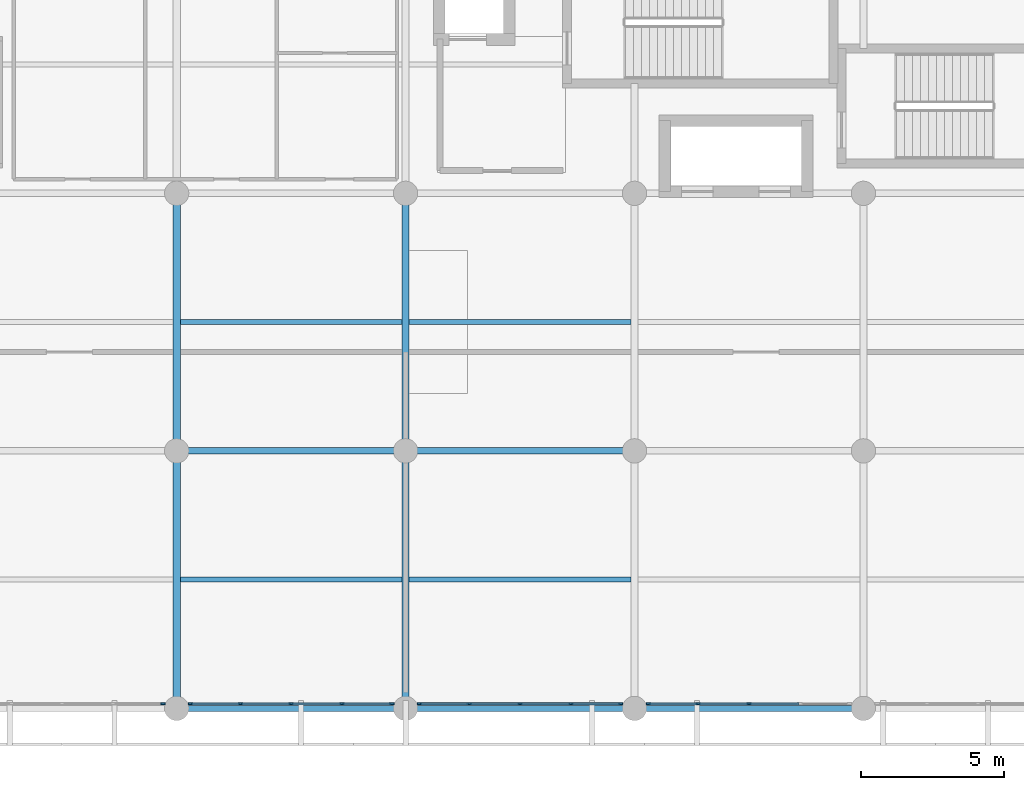
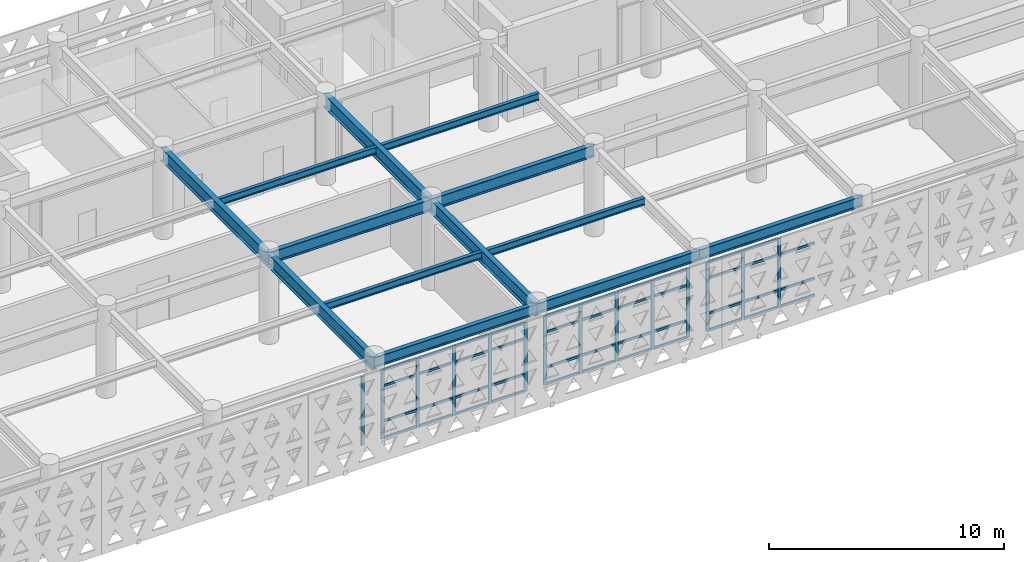
# One storey, part 14 of 54: 57 members, 13 beams, 4 elements without a shape of their own.
"""IFC4 building model written with IfcOpenShell, lengths in metres."""

import ifcopenshell
import ifcopenshell.guid

model = None  # the IFC model being written
_history = None  # IfcOwnerHistory: only IFC2X3 demands one
_inside = {}  # id of a spatial element -> (the spatial element, [elements in it])
_under = {}  # id of a project, library or spatial element -> (it, [spatial elements below it])
_declared = {}  # id of a project -> (the project, [libraries it declares])
_typed = {}  # id of a type object -> (the type object, [elements of that type])
_made_of = {}  # id of a material, layer set ... -> (it, [elements and type objects made of it])


def new_model(schema):
    """Start an empty IFC model of exactly this schema.

    Asked for "IFC4X3", IfcOpenShell would pick the latest addendum, in which some entities
    have other attributes; the version numbers below select the first issue.
    IFC2X3 requires an IfcOwnerHistory on every rooted entity: one is made here for all.
    """
    global model, _history
    if schema == "IFC4X3":
        model = ifcopenshell.file(schema_version=(4, 3, 0, 0))
    else:
        model = ifcopenshell.file(schema=schema)
    _inside.clear()
    _under.clear()
    _declared.clear()
    _typed.clear()
    _made_of.clear()
    _history = None
    if model.schema == "IFC2X3":
        org = make("IfcOrganization", Name="unknown")
        user = make(
            "IfcPersonAndOrganization",
            ThePerson=make("IfcPerson", FamilyName="unknown"),
            TheOrganization=org,
        )
        app = make(
            "IfcApplication",
            ApplicationDeveloper=org,
            Version="unknown",
            ApplicationFullName="unknown",
            ApplicationIdentifier="unknown",
        )
        _history = make(
            "IfcOwnerHistory",
            OwningUser=user,
            OwningApplication=app,
            ChangeAction="ADDED",
            CreationDate=0,
        )
    return model


def make(cls, **values):
    """One entity of the class cls with the attributes given. An attribute that is None is left unset."""
    return model.create_entity(
        cls, **{name: value for name, value in values.items() if value is not None}
    )


def rooted(cls, **values):
    """An entity with a GlobalId (a new one), such as an element, a storey or a relation."""
    return make(cls, GlobalId=ifcopenshell.guid.new(), OwnerHistory=_history, **values)


def si_unit(unit_type, name, prefix=None):
    """IfcSIUnit, for example si_unit("LENGTHUNIT", "METRE", prefix="MILLI")."""
    return make("IfcSIUnit", UnitType=unit_type, Prefix=prefix, Name=name)


def assignment(units):
    """IfcUnitAssignment: the units of a project."""
    return None if units is None else make("IfcUnitAssignment", Units=units)


def point(xyz):
    """IfcCartesianPoint."""
    return None if xyz is None else make("IfcCartesianPoint", Coordinates=xyz)


def direction(xyz):
    """IfcDirection."""
    return None if xyz is None else make("IfcDirection", DirectionRatios=xyz)


def frame(location, z_axis=None, x_axis=None):
    """IfcAxis2Placement3D, a coordinate frame: its origin and axes. An axis left out is left unset."""
    return make(
        "IfcAxis2Placement3D",
        Location=point(location),
        Axis=direction(z_axis),
        RefDirection=direction(x_axis),
    )


def frame_2d(location, x_axis=None):
    """IfcAxis2Placement2D, a coordinate frame in the plane: its origin and x axis."""
    return make(
        "IfcAxis2Placement2D", Location=point(location), RefDirection=direction(x_axis)
    )


def origin():
    """The frame at (0, 0, 0) with its axes left unset."""
    return frame((0.0, 0.0, 0.0))


def origin_2d():
    """The frame at (0, 0) in the plane with its x axis left unset."""
    return frame_2d((0.0, 0.0))


def place(relative_to, where):
    """IfcLocalPlacement: puts the frame where relative to a parent placement (None: the world)."""
    return make(
        "IfcLocalPlacement", PlacementRelTo=relative_to, RelativePlacement=where
    )


def context(
    kind, dimensions, precision=None, world=None, true_north=None, identifier=None
):
    """IfcGeometricRepresentationContext, for example the 3D "Model" context."""
    return make(
        "IfcGeometricRepresentationContext",
        ContextIdentifier=identifier,
        ContextType=kind,
        CoordinateSpaceDimension=dimensions,
        Precision=precision,
        WorldCoordinateSystem=world,
        TrueNorth=true_north,
    )


def subcontext(parent, identifier, kind, view, scale=None):
    """IfcGeometricRepresentationSubContext, for example "Body" below "Model"."""
    return make(
        "IfcGeometricRepresentationSubContext",
        ContextIdentifier=identifier,
        ContextType=kind,
        ParentContext=parent,
        TargetScale=scale,
        TargetView=view,
    )


def project(units=None, contexts=None):
    """IfcProject with its units and contexts."""
    return rooted(
        "IfcProject",
        Name="project",
        RepresentationContexts=contexts,
        UnitsInContext=assignment(units),
    )


def spatial(cls, under=None, at=None, **own):
    """A site, building, storey or space (cls), placed at a placement, below another one or the project."""
    s = rooted(cls, ObjectPlacement=at, **own)
    if under is not None:
        _under.setdefault(under.id(), (under, []))[1].append(s)
    return s


def profile(cls, at=None, kind="AREA", **sizes):
    """A parametric profile (cls). Its sizes go by their IFC names, for example OverallWidth=200.0."""
    return make(cls, ProfileType=kind, Position=at, **sizes)


def rectangle(**sizes):
    """IfcRectangleProfileDef."""
    return profile("IfcRectangleProfileDef", **sizes)


def i_section(**sizes):
    """IfcIShapeProfileDef."""
    return profile("IfcIShapeProfileDef", **sizes)


def extrude(swept, where, along, depth):
    """IfcExtrudedAreaSolid: the profile swept, set in the frame where, extruded along a direction by depth."""
    return make(
        "IfcExtrudedAreaSolid",
        SweptArea=swept,
        Position=where,
        ExtrudedDirection=direction(along),
        Depth=depth,
    )


def shape(context_of_items, identifier, shape_type, items):
    """IfcShapeRepresentation: the items that make up one representation, for example the "Body"."""
    return make(
        "IfcShapeRepresentation",
        ContextOfItems=context_of_items,
        RepresentationIdentifier=identifier,
        RepresentationType=shape_type,
        Items=items,
    )


def material(Name=None, Category=None):
    """IfcMaterial."""
    return make("IfcMaterial", Name=Name, Category=Category)


def layer(
    of_material, thickness, ventilated=None, Name=None, Category=None, Priority=None
):
    """IfcMaterialLayer: one layer of a wall or slab, of a material (None: an air gap)."""
    return make(
        "IfcMaterialLayer",
        Material=of_material,
        LayerThickness=thickness,
        IsVentilated=ventilated,
        Name=Name,
        Category=Category,
        Priority=Priority,
    )


def layer_set(layers, Name=None):
    """IfcMaterialLayerSet."""
    return make("IfcMaterialLayerSet", MaterialLayers=layers, LayerSetName=Name)


def material_profile(
    of_material, cross_section, Name=None, Category=None, Priority=None
):
    """IfcMaterialProfile: a cross section and its material."""
    return make(
        "IfcMaterialProfile",
        Name=Name,
        Material=of_material,
        Profile=cross_section,
        Priority=Priority,
        Category=Category,
    )


def profile_set(profiles, Name=None, composite=None):
    """IfcMaterialProfileSet."""
    return make(
        "IfcMaterialProfileSet",
        Name=Name,
        MaterialProfiles=profiles,
        CompositeProfile=composite,
    )


def made_of(thing, what):
    """Note that an element or type object is made of a material, layer set ...; save() writes the relation."""
    if what is not None:
        _made_of.setdefault(what.id(), (what, []))[1].append(thing)
    return thing


def type_object(cls, material=None, **own):
    """A type object (cls), such as IfcWallType, which elements share."""
    return made_of(rooted(cls, **own), material)


def element(
    cls,
    number,
    at=None,
    inside=None,
    cuts=None,
    type_object=None,
    material=None,
    context=None,
    identifier="Body",
    shape_type=None,
    held_by="IfcProductDefinitionShape",
    body=None,
    shapes=None,
    **own,
):
    """One element of the class cls, such as IfcWall. Its Tag is "e" and its number.

    at: its placement. inside: the storey or other place that contains it. cuts: it is an
    opening in that element (IfcRelVoidsElement). A single representation is given by context,
    identifier, shape_type and body (its items); several are given by shapes. held_by: the class
    of the entity that holds the representations. save() writes the other relations.
    """
    e = rooted(cls, Tag="e%d" % number, ObjectPlacement=at, **own)
    if body is not None:
        shapes = [shape(context, identifier, shape_type, body)]
    if shapes is not None:
        e.Representation = make(held_by, Representations=shapes)
    if inside is not None:
        _inside.setdefault(inside.id(), (inside, []))[1].append(e)
    if cuts is not None:
        rooted(
            "IfcRelVoidsElement", RelatingBuildingElement=cuts, RelatedOpeningElement=e
        )
    if type_object is not None:
        _typed.setdefault(type_object.id(), (type_object, []))[1].append(e)
    return made_of(e, material)


def aggregate(whole, parts):
    """IfcRelAggregates: a whole, such as a stair, and the parts it consists of."""
    return rooted("IfcRelAggregates", RelatingObject=whole, RelatedObjects=parts)


def save(model, path):
    """Write the relations noted so far, then the file.

    IfcRelAggregates (storeys below a building ...), IfcRelContainedInSpatialStructure (elements
    in a storey), IfcRelDefinesByType, IfcRelAssociatesMaterial and IfcRelDeclares: one each for
    every whole, place, type object, material and project.
    """
    for whole, parts in _under.values():
        aggregate(whole, parts)
    for where, things in _inside.values():
        rooted(
            "IfcRelContainedInSpatialStructure",
            RelatedElements=things,
            RelatingStructure=where,
        )
    for kind, things in _typed.values():
        rooted("IfcRelDefinesByType", RelatedObjects=things, RelatingType=kind)
    for what, things in _made_of.values():
        rooted("IfcRelAssociatesMaterial", RelatedObjects=things, RelatingMaterial=what)
    for by, libraries in _declared.values():
        rooted("IfcRelDeclares", RelatingContext=by, RelatedDefinitions=libraries)
    model.write(path)


model = new_model("IFC4")

# Units and contexts
model_context = context("Model", 3, precision=1e-05, world=origin(), true_north=direction((0.0, 1.0)))
body_context = subcontext(model_context, "Body", "Model", "MODEL_VIEW")
ifc_project = project(units=[si_unit("LENGTHUNIT", "METRE"), si_unit("AREAUNIT", "SQUARE_METRE"), si_unit("VOLUMEUNIT", "CUBIC_METRE"), si_unit("PLANEANGLEUNIT", "RADIAN"), si_unit("MASSUNIT", "GRAM", prefix="KILO")], contexts=[model_context])

# Site, building, storey
site_placement = place(None, origin())
site = spatial("IfcSite", under=ifc_project, at=site_placement, CompositionType="ELEMENT")
building_placement = place(site_placement, origin())
building = spatial("IfcBuilding", under=site, at=building_placement, Name="Tlacozan Convention Centre", CompositionType="ELEMENT")
storey_placement = place(building_placement, frame((0.0, 0.0, 11.39990234375)))
storey = spatial("IfcBuildingStorey", under=building, at=storey_placement, Name="L02", CompositionType="ELEMENT", Elevation=11.39990234375)

# Curtain wall, member
ifc_material_1 = material(Name="Dark Bronze Anodised Aluminium", Category="aluminium")
ifc_layer = layer(ifc_material_1, 0.159912109375)
ifc_layer_set = layer_set([ifc_layer], Name="Dark Bronze Anodised Aluminium")
curtain_wall_type = type_object("IfcCurtainWallType", Name="Unitised Congress L02 South CW03", PredefinedType="NOTDEFINED", material=ifc_layer_set)
curtain_wall_1_placement = place(storey_placement, origin())
curtain_wall_1 = element("IfcCurtainWall", 1, at=curtain_wall_1_placement, inside=storey, type_object=curtain_wall_type, Name="L02 CW-03 Run 85", PredefinedType="NOTDEFINED")
ifc_material_profile_1 = material_profile(ifc_material_1, rectangle(XDim=0.06494140625, YDim=0.159912109375, at=origin_2d()), Name="ALU 65x160")
ifc_profile_set_1 = profile_set([ifc_material_profile_1], Name="Dark Bronze Anodised Aluminium")
member_type_1 = type_object("IfcMemberType", Name="Curtain Wall Mullion 65x160", PredefinedType="MULLION", material=ifc_profile_set_1)
member_1_placement = place(storey_placement, frame((63.517578125, 0.159912109375, 0.0), z_axis=(0.0, 0.0, 1.0), x_axis=(0.0, 1.0, 0.0)))
member_1 = element("IfcMember", 2, at=member_1_placement, type_object=member_type_1, Name="CW-03 mullion 5", PredefinedType="MULLION", context=body_context, shape_type="SweptSolid", body=[
    extrude(rectangle(XDim=0.06494140625, YDim=0.159912109375, at=origin_2d()), origin(), (0.0, 0.0, 1.0), 3.590087890625),
])
aggregate(curtain_wall_1, [member_1])

# Curtain wall, members
curtain_wall_2_placement = place(storey_placement, origin())
curtain_wall_2 = element("IfcCurtainWall", 3, at=curtain_wall_2_placement, inside=storey, type_object=curtain_wall_type, Name="L02 CW-03 Run 86", PredefinedType="NOTDEFINED")
member_2_placement = place(storey_placement, frame((64.482421875, 0.159912109375, 0.0), z_axis=(0.0, 0.0, 1.0), x_axis=(0.0, 1.0, 0.0)))
member_2 = element("IfcMember", 4, at=member_2_placement, type_object=member_type_1, Name="CW-03 mullion 1", PredefinedType="MULLION", context=body_context, shape_type="SweptSolid", body=[
    extrude(rectangle(XDim=0.06494140625, YDim=0.159912109375, at=origin_2d()), origin(), (0.0, 0.0, 1.0), 3.590087890625),
])
member_3_placement = place(storey_placement, frame((66.22509765625, 0.159912109375, 0.0), z_axis=(0.0, 0.0, 1.0), x_axis=(0.0, 1.0, 0.0)))
member_3 = element("IfcMember", 5, at=member_3_placement, type_object=member_type_1, Name="CW-03 mullion 2", PredefinedType="MULLION", context=body_context, shape_type="SweptSolid", body=[
    extrude(rectangle(XDim=0.06494140625, YDim=0.159912109375, at=origin_2d()), origin(), (0.0, 0.0, 1.0), 3.590087890625),
])
member_4_placement = place(storey_placement, frame((68.0, 0.159912109375, 0.0), z_axis=(0.0, 0.0, 1.0), x_axis=(0.0, 1.0, 0.0)))
member_4 = element("IfcMember", 6, at=member_4_placement, type_object=member_type_1, Name="CW-03 mullion 3", PredefinedType="MULLION", context=body_context, shape_type="SweptSolid", body=[
    extrude(rectangle(XDim=0.06494140625, YDim=0.159912109375, at=origin_2d()), origin(), (0.0, 0.0, 1.0), 3.590087890625),
])
member_5_placement = place(storey_placement, frame((69.77490234375, 0.159912109375, 0.0), z_axis=(0.0, 0.0, 1.0), x_axis=(0.0, 1.0, 0.0)))
member_5 = element("IfcMember", 7, at=member_5_placement, type_object=member_type_1, Name="CW-03 mullion 4", PredefinedType="MULLION", context=body_context, shape_type="SweptSolid", body=[
    extrude(rectangle(XDim=0.06494140625, YDim=0.159912109375, at=origin_2d()), origin(), (0.0, 0.0, 1.0), 3.590087890625),
])
member_6_placement = place(storey_placement, frame((71.517578125, 0.159912109375, 0.0), z_axis=(0.0, 0.0, 1.0), x_axis=(0.0, 1.0, 0.0)))
member_6 = element("IfcMember", 8, at=member_6_placement, type_object=member_type_1, Name="CW-03 mullion 5", PredefinedType="MULLION", context=body_context, shape_type="SweptSolid", body=[
    extrude(rectangle(XDim=0.06494140625, YDim=0.159912109375, at=origin_2d()), origin(), (0.0, 0.0, 1.0), 3.590087890625),
])

curtain_wall_3_placement = place(storey_placement, origin())
curtain_wall_3 = element("IfcCurtainWall", 9, at=curtain_wall_3_placement, inside=storey, type_object=curtain_wall_type, Name="L02 CW-03 Run 87", PredefinedType="NOTDEFINED")
member_7_placement = place(storey_placement, frame((72.482421875, 0.159912109375, 0.0), z_axis=(0.0, 0.0, 1.0), x_axis=(0.0, 1.0, 0.0)))
member_7 = element("IfcMember", 10, at=member_7_placement, type_object=member_type_1, Name="CW-03 mullion 1", PredefinedType="MULLION", context=body_context, shape_type="SweptSolid", body=[
    extrude(rectangle(XDim=0.06494140625, YDim=0.159912109375, at=origin_2d()), origin(), (0.0, 0.0, 1.0), 3.590087890625),
])
member_8_placement = place(storey_placement, frame((74.22509765625, 0.159912109375, 0.0), z_axis=(0.0, 0.0, 1.0), x_axis=(0.0, 1.0, 0.0)))
member_8 = element("IfcMember", 11, at=member_8_placement, type_object=member_type_1, Name="CW-03 mullion 2", PredefinedType="MULLION", context=body_context, shape_type="SweptSolid", body=[
    extrude(rectangle(XDim=0.06494140625, YDim=0.159912109375, at=origin_2d()), origin(), (0.0, 0.0, 1.0), 3.590087890625),
])
member_9_placement = place(storey_placement, frame((76.0, 0.159912109375, 0.0), z_axis=(0.0, 0.0, 1.0), x_axis=(0.0, 1.0, 0.0)))
member_9 = element("IfcMember", 12, at=member_9_placement, type_object=member_type_1, Name="CW-03 mullion 3", PredefinedType="MULLION", context=body_context, shape_type="SweptSolid", body=[
    extrude(rectangle(XDim=0.06494140625, YDim=0.159912109375, at=origin_2d()), origin(), (0.0, 0.0, 1.0), 3.590087890625),
])
member_10_placement = place(storey_placement, frame((77.77490234375, 0.159912109375, 0.0), z_axis=(0.0, 0.0, 1.0), x_axis=(0.0, 1.0, 0.0)))
member_10 = element("IfcMember", 13, at=member_10_placement, type_object=member_type_1, Name="CW-03 mullion 4", PredefinedType="MULLION", context=body_context, shape_type="SweptSolid", body=[
    extrude(rectangle(XDim=0.06494140625, YDim=0.159912109375, at=origin_2d()), origin(), (0.0, 0.0, 1.0), 3.590087890625),
])
member_11_placement = place(storey_placement, frame((79.517578125, 0.159912109375, 0.0), z_axis=(0.0, 0.0, 1.0), x_axis=(0.0, 1.0, 0.0)))
member_11 = element("IfcMember", 14, at=member_11_placement, type_object=member_type_1, Name="CW-03 mullion 5", PredefinedType="MULLION", context=body_context, shape_type="SweptSolid", body=[
    extrude(rectangle(XDim=0.06494140625, YDim=0.159912109375, at=origin_2d()), origin(), (0.0, 0.0, 1.0), 3.590087890625),
])

curtain_wall_4_placement = place(storey_placement, origin())
curtain_wall_4 = element("IfcCurtainWall", 15, at=curtain_wall_4_placement, inside=storey, type_object=curtain_wall_type, Name="L02 CW-03 Run 88", PredefinedType="NOTDEFINED")
member_12_placement = place(storey_placement, frame((80.482421875, 0.159912109375, 0.0), z_axis=(0.0, 0.0, 1.0), x_axis=(0.0, 1.0, 0.0)))
member_12 = element("IfcMember", 16, at=member_12_placement, type_object=member_type_1, Name="CW-03 mullion 1", PredefinedType="MULLION", context=body_context, shape_type="SweptSolid", body=[
    extrude(rectangle(XDim=0.06494140625, YDim=0.159912109375, at=origin_2d()), origin(), (0.0, 0.0, 1.0), 3.590087890625),
])
member_13_placement = place(storey_placement, frame((82.22509765625, 0.159912109375, 0.0), z_axis=(0.0, 0.0, 1.0), x_axis=(0.0, 1.0, 0.0)))
member_13 = element("IfcMember", 17, at=member_13_placement, type_object=member_type_1, Name="CW-03 mullion 2", PredefinedType="MULLION", context=body_context, shape_type="SweptSolid", body=[
    extrude(rectangle(XDim=0.06494140625, YDim=0.159912109375, at=origin_2d()), origin(), (0.0, 0.0, 1.0), 3.590087890625),
])
member_14_placement = place(storey_placement, frame((84.0, 0.159912109375, 0.0), z_axis=(0.0, 0.0, 1.0), x_axis=(0.0, 1.0, 0.0)))
member_14 = element("IfcMember", 18, at=member_14_placement, type_object=member_type_1, Name="CW-03 mullion 3", PredefinedType="MULLION", context=body_context, shape_type="SweptSolid", body=[
    extrude(rectangle(XDim=0.06494140625, YDim=0.159912109375, at=origin_2d()), origin(), (0.0, 0.0, 1.0), 3.590087890625),
])

# Member
ifc_material_profile_2 = material_profile(ifc_material_1, rectangle(XDim=0.06494140625, YDim=0.125, at=origin_2d()), Name="ALU 65x125")
ifc_profile_set_2 = profile_set([ifc_material_profile_2], Name="Dark Bronze Anodised Aluminium")
member_type_2 = type_object("IfcMemberType", Name="Curtain Wall Transom 65x125", PredefinedType="USERDEFINED", material=ifc_profile_set_2)
member_15_placement = place(storey_placement, frame((64.514892578125, 0.159912109375, 0.03271484375), z_axis=(1.0, 0.0, 0.0), x_axis=(0.0, 1.0, 0.0)))
member_15 = element("IfcMember", 19, at=member_15_placement, type_object=member_type_2, Name="CW-03 transom 1.1", ObjectType="TRANSOM", PredefinedType="USERDEFINED", context=body_context, shape_type="SweptSolid", body=[
    extrude(rectangle(XDim=0.06494140625, YDim=0.125, at=origin_2d()), origin(), (0.0, 0.0, 1.0), 1.677490234375),
])

member_16_placement = place(storey_placement, frame((64.514892578125, 0.159912109375, 0.900146484375), z_axis=(1.0, 0.0, 0.0), x_axis=(0.0, 1.0, 0.0)))
member_16 = element("IfcMember", 20, at=member_16_placement, type_object=member_type_2, Name="CW-03 transom 1.2", ObjectType="TRANSOM", PredefinedType="USERDEFINED", context=body_context, shape_type="SweptSolid", body=[
    extrude(rectangle(XDim=0.06494140625, YDim=0.125, at=origin_2d()), origin(), (0.0, 0.0, 1.0), 1.677490234375),
])

member_17_placement = place(storey_placement, frame((64.514892578125, 0.159912109375, 2.739990234375), z_axis=(1.0, 0.0, 0.0), x_axis=(0.0, 1.0, 0.0)))
member_17 = element("IfcMember", 21, at=member_17_placement, type_object=member_type_2, Name="CW-03 transom 1.3", ObjectType="TRANSOM", PredefinedType="USERDEFINED", context=body_context, shape_type="SweptSolid", body=[
    extrude(rectangle(XDim=0.06494140625, YDim=0.125, at=origin_2d()), origin(), (0.0, 0.0, 1.0), 1.677490234375),
])

member_18_placement = place(storey_placement, frame((64.514892578125, 0.159912109375, 3.5576171875), z_axis=(1.0, 0.0, 0.0), x_axis=(0.0, 1.0, 0.0)))
member_18 = element("IfcMember", 22, at=member_18_placement, type_object=member_type_2, Name="CW-03 transom 1.4", ObjectType="TRANSOM", PredefinedType="USERDEFINED", context=body_context, shape_type="SweptSolid", body=[
    extrude(rectangle(XDim=0.06494140625, YDim=0.125, at=origin_2d()), origin(), (0.0, 0.0, 1.0), 1.677490234375),
])

member_19_placement = place(storey_placement, frame((66.257568359375, 0.159912109375, 0.03271484375), z_axis=(1.0, 0.0, 0.0), x_axis=(0.0, 1.0, 0.0)))
member_19 = element("IfcMember", 23, at=member_19_placement, type_object=member_type_2, Name="CW-03 transom 2.1", ObjectType="TRANSOM", PredefinedType="USERDEFINED", context=body_context, shape_type="SweptSolid", body=[
    extrude(rectangle(XDim=0.06494140625, YDim=0.125, at=origin_2d()), origin(), (0.0, 0.0, 1.0), 1.7099609375),
])

member_20_placement = place(storey_placement, frame((66.257568359375, 0.159912109375, 0.900146484375), z_axis=(1.0, 0.0, 0.0), x_axis=(0.0, 1.0, 0.0)))
member_20 = element("IfcMember", 24, at=member_20_placement, type_object=member_type_2, Name="CW-03 transom 2.2", ObjectType="TRANSOM", PredefinedType="USERDEFINED", context=body_context, shape_type="SweptSolid", body=[
    extrude(rectangle(XDim=0.06494140625, YDim=0.125, at=origin_2d()), origin(), (0.0, 0.0, 1.0), 1.7099609375),
])

member_21_placement = place(storey_placement, frame((66.257568359375, 0.159912109375, 2.739990234375), z_axis=(1.0, 0.0, 0.0), x_axis=(0.0, 1.0, 0.0)))
member_21 = element("IfcMember", 25, at=member_21_placement, type_object=member_type_2, Name="CW-03 transom 2.3", ObjectType="TRANSOM", PredefinedType="USERDEFINED", context=body_context, shape_type="SweptSolid", body=[
    extrude(rectangle(XDim=0.06494140625, YDim=0.125, at=origin_2d()), origin(), (0.0, 0.0, 1.0), 1.7099609375),
])

member_22_placement = place(storey_placement, frame((66.257568359375, 0.159912109375, 3.5576171875), z_axis=(1.0, 0.0, 0.0), x_axis=(0.0, 1.0, 0.0)))
member_22 = element("IfcMember", 26, at=member_22_placement, type_object=member_type_2, Name="CW-03 transom 2.4", ObjectType="TRANSOM", PredefinedType="USERDEFINED", context=body_context, shape_type="SweptSolid", body=[
    extrude(rectangle(XDim=0.06494140625, YDim=0.125, at=origin_2d()), origin(), (0.0, 0.0, 1.0), 1.7099609375),
])

member_23_placement = place(storey_placement, frame((68.032470703125, 0.159912109375, 0.03271484375), z_axis=(1.0, 0.0, 0.0), x_axis=(0.0, 1.0, 0.0)))
member_23 = element("IfcMember", 27, at=member_23_placement, type_object=member_type_2, Name="CW-03 transom 3.1", ObjectType="TRANSOM", PredefinedType="USERDEFINED", context=body_context, shape_type="SweptSolid", body=[
    extrude(rectangle(XDim=0.06494140625, YDim=0.125, at=origin_2d()), origin(), (0.0, 0.0, 1.0), 1.7099609375),
])

member_24_placement = place(storey_placement, frame((68.032470703125, 0.159912109375, 0.900146484375), z_axis=(1.0, 0.0, 0.0), x_axis=(0.0, 1.0, 0.0)))
member_24 = element("IfcMember", 28, at=member_24_placement, type_object=member_type_2, Name="CW-03 transom 3.2", ObjectType="TRANSOM", PredefinedType="USERDEFINED", context=body_context, shape_type="SweptSolid", body=[
    extrude(rectangle(XDim=0.06494140625, YDim=0.125, at=origin_2d()), origin(), (0.0, 0.0, 1.0), 1.7099609375),
])

member_25_placement = place(storey_placement, frame((68.032470703125, 0.159912109375, 2.739990234375), z_axis=(1.0, 0.0, 0.0), x_axis=(0.0, 1.0, 0.0)))
member_25 = element("IfcMember", 29, at=member_25_placement, type_object=member_type_2, Name="CW-03 transom 3.3", ObjectType="TRANSOM", PredefinedType="USERDEFINED", context=body_context, shape_type="SweptSolid", body=[
    extrude(rectangle(XDim=0.06494140625, YDim=0.125, at=origin_2d()), origin(), (0.0, 0.0, 1.0), 1.7099609375),
])

member_26_placement = place(storey_placement, frame((68.032470703125, 0.159912109375, 3.5576171875), z_axis=(1.0, 0.0, 0.0), x_axis=(0.0, 1.0, 0.0)))
member_26 = element("IfcMember", 30, at=member_26_placement, type_object=member_type_2, Name="CW-03 transom 3.4", ObjectType="TRANSOM", PredefinedType="USERDEFINED", context=body_context, shape_type="SweptSolid", body=[
    extrude(rectangle(XDim=0.06494140625, YDim=0.125, at=origin_2d()), origin(), (0.0, 0.0, 1.0), 1.7099609375),
])

member_27_placement = place(storey_placement, frame((69.8076171875, 0.159912109375, 0.03271484375), z_axis=(1.0, 0.0, 0.0), x_axis=(0.0, 1.0, 0.0)))
member_27 = element("IfcMember", 31, at=member_27_placement, type_object=member_type_2, Name="CW-03 transom 4.1", ObjectType="TRANSOM", PredefinedType="USERDEFINED", context=body_context, shape_type="SweptSolid", body=[
    extrude(rectangle(XDim=0.06494140625, YDim=0.125, at=origin_2d()), origin(), (0.0, 0.0, 1.0), 1.677490234375),
])

member_28_placement = place(storey_placement, frame((69.8076171875, 0.159912109375, 0.900146484375), z_axis=(1.0, 0.0, 0.0), x_axis=(0.0, 1.0, 0.0)))
member_28 = element("IfcMember", 32, at=member_28_placement, type_object=member_type_2, Name="CW-03 transom 4.2", ObjectType="TRANSOM", PredefinedType="USERDEFINED", context=body_context, shape_type="SweptSolid", body=[
    extrude(rectangle(XDim=0.06494140625, YDim=0.125, at=origin_2d()), origin(), (0.0, 0.0, 1.0), 1.677490234375),
])

member_29_placement = place(storey_placement, frame((69.8076171875, 0.159912109375, 2.739990234375), z_axis=(1.0, 0.0, 0.0), x_axis=(0.0, 1.0, 0.0)))
member_29 = element("IfcMember", 33, at=member_29_placement, type_object=member_type_2, Name="CW-03 transom 4.3", ObjectType="TRANSOM", PredefinedType="USERDEFINED", context=body_context, shape_type="SweptSolid", body=[
    extrude(rectangle(XDim=0.06494140625, YDim=0.125, at=origin_2d()), origin(), (0.0, 0.0, 1.0), 1.677490234375),
])

member_30_placement = place(storey_placement, frame((69.8076171875, 0.159912109375, 3.5576171875), z_axis=(1.0, 0.0, 0.0), x_axis=(0.0, 1.0, 0.0)))
member_30 = element("IfcMember", 34, at=member_30_placement, type_object=member_type_2, Name="CW-03 transom 4.4", ObjectType="TRANSOM", PredefinedType="USERDEFINED", context=body_context, shape_type="SweptSolid", body=[
    extrude(rectangle(XDim=0.06494140625, YDim=0.125, at=origin_2d()), origin(), (0.0, 0.0, 1.0), 1.677490234375),
])

aggregate(curtain_wall_2, [member_2, member_3, member_4, member_5, member_6, member_15, member_16, member_17, member_18, member_19, member_20, member_21, member_22, member_23, member_24, member_25, member_26, member_27, member_28, member_29, member_30])

member_31_placement = place(storey_placement, frame((72.514892578125, 0.159912109375, 0.03271484375), z_axis=(1.0, 0.0, 0.0), x_axis=(0.0, 1.0, 0.0)))
member_31 = element("IfcMember", 35, at=member_31_placement, type_object=member_type_2, Name="CW-03 transom 1.1", ObjectType="TRANSOM", PredefinedType="USERDEFINED", context=body_context, shape_type="SweptSolid", body=[
    extrude(rectangle(XDim=0.06494140625, YDim=0.125, at=origin_2d()), origin(), (0.0, 0.0, 1.0), 1.677490234375),
])

member_32_placement = place(storey_placement, frame((72.514892578125, 0.159912109375, 0.900146484375), z_axis=(1.0, 0.0, 0.0), x_axis=(0.0, 1.0, 0.0)))
member_32 = element("IfcMember", 36, at=member_32_placement, type_object=member_type_2, Name="CW-03 transom 1.2", ObjectType="TRANSOM", PredefinedType="USERDEFINED", context=body_context, shape_type="SweptSolid", body=[
    extrude(rectangle(XDim=0.06494140625, YDim=0.125, at=origin_2d()), origin(), (0.0, 0.0, 1.0), 1.677490234375),
])

member_33_placement = place(storey_placement, frame((72.514892578125, 0.159912109375, 2.739990234375), z_axis=(1.0, 0.0, 0.0), x_axis=(0.0, 1.0, 0.0)))
member_33 = element("IfcMember", 37, at=member_33_placement, type_object=member_type_2, Name="CW-03 transom 1.3", ObjectType="TRANSOM", PredefinedType="USERDEFINED", context=body_context, shape_type="SweptSolid", body=[
    extrude(rectangle(XDim=0.06494140625, YDim=0.125, at=origin_2d()), origin(), (0.0, 0.0, 1.0), 1.677490234375),
])

member_34_placement = place(storey_placement, frame((72.514892578125, 0.159912109375, 3.5576171875), z_axis=(1.0, 0.0, 0.0), x_axis=(0.0, 1.0, 0.0)))
member_34 = element("IfcMember", 38, at=member_34_placement, type_object=member_type_2, Name="CW-03 transom 1.4", ObjectType="TRANSOM", PredefinedType="USERDEFINED", context=body_context, shape_type="SweptSolid", body=[
    extrude(rectangle(XDim=0.06494140625, YDim=0.125, at=origin_2d()), origin(), (0.0, 0.0, 1.0), 1.677490234375),
])

member_35_placement = place(storey_placement, frame((74.257568359375, 0.159912109375, 0.03271484375), z_axis=(1.0, 0.0, 0.0), x_axis=(0.0, 1.0, 0.0)))
member_35 = element("IfcMember", 39, at=member_35_placement, type_object=member_type_2, Name="CW-03 transom 2.1", ObjectType="TRANSOM", PredefinedType="USERDEFINED", context=body_context, shape_type="SweptSolid", body=[
    extrude(rectangle(XDim=0.06494140625, YDim=0.125, at=origin_2d()), origin(), (0.0, 0.0, 1.0), 1.7099609375),
])

member_36_placement = place(storey_placement, frame((74.257568359375, 0.159912109375, 0.900146484375), z_axis=(1.0, 0.0, 0.0), x_axis=(0.0, 1.0, 0.0)))
member_36 = element("IfcMember", 40, at=member_36_placement, type_object=member_type_2, Name="CW-03 transom 2.2", ObjectType="TRANSOM", PredefinedType="USERDEFINED", context=body_context, shape_type="SweptSolid", body=[
    extrude(rectangle(XDim=0.06494140625, YDim=0.125, at=origin_2d()), origin(), (0.0, 0.0, 1.0), 1.7099609375),
])

member_37_placement = place(storey_placement, frame((74.257568359375, 0.159912109375, 2.739990234375), z_axis=(1.0, 0.0, 0.0), x_axis=(0.0, 1.0, 0.0)))
member_37 = element("IfcMember", 41, at=member_37_placement, type_object=member_type_2, Name="CW-03 transom 2.3", ObjectType="TRANSOM", PredefinedType="USERDEFINED", context=body_context, shape_type="SweptSolid", body=[
    extrude(rectangle(XDim=0.06494140625, YDim=0.125, at=origin_2d()), origin(), (0.0, 0.0, 1.0), 1.7099609375),
])

member_38_placement = place(storey_placement, frame((74.257568359375, 0.159912109375, 3.5576171875), z_axis=(1.0, 0.0, 0.0), x_axis=(0.0, 1.0, 0.0)))
member_38 = element("IfcMember", 42, at=member_38_placement, type_object=member_type_2, Name="CW-03 transom 2.4", ObjectType="TRANSOM", PredefinedType="USERDEFINED", context=body_context, shape_type="SweptSolid", body=[
    extrude(rectangle(XDim=0.06494140625, YDim=0.125, at=origin_2d()), origin(), (0.0, 0.0, 1.0), 1.7099609375),
])

member_39_placement = place(storey_placement, frame((76.032470703125, 0.159912109375, 0.03271484375), z_axis=(1.0, 0.0, 0.0), x_axis=(0.0, 1.0, 0.0)))
member_39 = element("IfcMember", 43, at=member_39_placement, type_object=member_type_2, Name="CW-03 transom 3.1", ObjectType="TRANSOM", PredefinedType="USERDEFINED", context=body_context, shape_type="SweptSolid", body=[
    extrude(rectangle(XDim=0.06494140625, YDim=0.125, at=origin_2d()), origin(), (0.0, 0.0, 1.0), 1.7099609375),
])

member_40_placement = place(storey_placement, frame((76.032470703125, 0.159912109375, 0.900146484375), z_axis=(1.0, 0.0, 0.0), x_axis=(0.0, 1.0, 0.0)))
member_40 = element("IfcMember", 44, at=member_40_placement, type_object=member_type_2, Name="CW-03 transom 3.2", ObjectType="TRANSOM", PredefinedType="USERDEFINED", context=body_context, shape_type="SweptSolid", body=[
    extrude(rectangle(XDim=0.06494140625, YDim=0.125, at=origin_2d()), origin(), (0.0, 0.0, 1.0), 1.7099609375),
])

member_41_placement = place(storey_placement, frame((76.032470703125, 0.159912109375, 2.739990234375), z_axis=(1.0, 0.0, 0.0), x_axis=(0.0, 1.0, 0.0)))
member_41 = element("IfcMember", 45, at=member_41_placement, type_object=member_type_2, Name="CW-03 transom 3.3", ObjectType="TRANSOM", PredefinedType="USERDEFINED", context=body_context, shape_type="SweptSolid", body=[
    extrude(rectangle(XDim=0.06494140625, YDim=0.125, at=origin_2d()), origin(), (0.0, 0.0, 1.0), 1.7099609375),
])

member_42_placement = place(storey_placement, frame((76.032470703125, 0.159912109375, 3.5576171875), z_axis=(1.0, 0.0, 0.0), x_axis=(0.0, 1.0, 0.0)))
member_42 = element("IfcMember", 46, at=member_42_placement, type_object=member_type_2, Name="CW-03 transom 3.4", ObjectType="TRANSOM", PredefinedType="USERDEFINED", context=body_context, shape_type="SweptSolid", body=[
    extrude(rectangle(XDim=0.06494140625, YDim=0.125, at=origin_2d()), origin(), (0.0, 0.0, 1.0), 1.7099609375),
])

member_43_placement = place(storey_placement, frame((77.8076171875, 0.159912109375, 0.03271484375), z_axis=(1.0, 0.0, 0.0), x_axis=(0.0, 1.0, 0.0)))
member_43 = element("IfcMember", 47, at=member_43_placement, type_object=member_type_2, Name="CW-03 transom 4.1", ObjectType="TRANSOM", PredefinedType="USERDEFINED", context=body_context, shape_type="SweptSolid", body=[
    extrude(rectangle(XDim=0.06494140625, YDim=0.125, at=origin_2d()), origin(), (0.0, 0.0, 1.0), 1.677490234375),
])

member_44_placement = place(storey_placement, frame((77.8076171875, 0.159912109375, 0.900146484375), z_axis=(1.0, 0.0, 0.0), x_axis=(0.0, 1.0, 0.0)))
member_44 = element("IfcMember", 48, at=member_44_placement, type_object=member_type_2, Name="CW-03 transom 4.2", ObjectType="TRANSOM", PredefinedType="USERDEFINED", context=body_context, shape_type="SweptSolid", body=[
    extrude(rectangle(XDim=0.06494140625, YDim=0.125, at=origin_2d()), origin(), (0.0, 0.0, 1.0), 1.677490234375),
])

member_45_placement = place(storey_placement, frame((77.8076171875, 0.159912109375, 2.739990234375), z_axis=(1.0, 0.0, 0.0), x_axis=(0.0, 1.0, 0.0)))
member_45 = element("IfcMember", 49, at=member_45_placement, type_object=member_type_2, Name="CW-03 transom 4.3", ObjectType="TRANSOM", PredefinedType="USERDEFINED", context=body_context, shape_type="SweptSolid", body=[
    extrude(rectangle(XDim=0.06494140625, YDim=0.125, at=origin_2d()), origin(), (0.0, 0.0, 1.0), 1.677490234375),
])

member_46_placement = place(storey_placement, frame((77.8076171875, 0.159912109375, 3.5576171875), z_axis=(1.0, 0.0, 0.0), x_axis=(0.0, 1.0, 0.0)))
member_46 = element("IfcMember", 50, at=member_46_placement, type_object=member_type_2, Name="CW-03 transom 4.4", ObjectType="TRANSOM", PredefinedType="USERDEFINED", context=body_context, shape_type="SweptSolid", body=[
    extrude(rectangle(XDim=0.06494140625, YDim=0.125, at=origin_2d()), origin(), (0.0, 0.0, 1.0), 1.677490234375),
])

aggregate(curtain_wall_3, [member_7, member_8, member_9, member_10, member_11, member_31, member_32, member_33, member_34, member_35, member_36, member_37, member_38, member_39, member_40, member_41, member_42, member_43, member_44, member_45, member_46])

member_47_placement = place(storey_placement, frame((80.514892578125, 0.159912109375, 0.03271484375), z_axis=(1.0, 0.0, 0.0), x_axis=(0.0, 1.0, 0.0)))
member_47 = element("IfcMember", 51, at=member_47_placement, type_object=member_type_2, Name="CW-03 transom 1.1", ObjectType="TRANSOM", PredefinedType="USERDEFINED", context=body_context, shape_type="SweptSolid", body=[
    extrude(rectangle(XDim=0.06494140625, YDim=0.125, at=origin_2d()), origin(), (0.0, 0.0, 1.0), 1.677490234375),
])

member_48_placement = place(storey_placement, frame((80.514892578125, 0.159912109375, 0.900146484375), z_axis=(1.0, 0.0, 0.0), x_axis=(0.0, 1.0, 0.0)))
member_48 = element("IfcMember", 52, at=member_48_placement, type_object=member_type_2, Name="CW-03 transom 1.2", ObjectType="TRANSOM", PredefinedType="USERDEFINED", context=body_context, shape_type="SweptSolid", body=[
    extrude(rectangle(XDim=0.06494140625, YDim=0.125, at=origin_2d()), origin(), (0.0, 0.0, 1.0), 1.677490234375),
])

member_49_placement = place(storey_placement, frame((80.514892578125, 0.159912109375, 2.739990234375), z_axis=(1.0, 0.0, 0.0), x_axis=(0.0, 1.0, 0.0)))
member_49 = element("IfcMember", 53, at=member_49_placement, type_object=member_type_2, Name="CW-03 transom 1.3", ObjectType="TRANSOM", PredefinedType="USERDEFINED", context=body_context, shape_type="SweptSolid", body=[
    extrude(rectangle(XDim=0.06494140625, YDim=0.125, at=origin_2d()), origin(), (0.0, 0.0, 1.0), 1.677490234375),
])

member_50_placement = place(storey_placement, frame((80.514892578125, 0.159912109375, 3.5576171875), z_axis=(1.0, 0.0, 0.0), x_axis=(0.0, 1.0, 0.0)))
member_50 = element("IfcMember", 54, at=member_50_placement, type_object=member_type_2, Name="CW-03 transom 1.4", ObjectType="TRANSOM", PredefinedType="USERDEFINED", context=body_context, shape_type="SweptSolid", body=[
    extrude(rectangle(XDim=0.06494140625, YDim=0.125, at=origin_2d()), origin(), (0.0, 0.0, 1.0), 1.677490234375),
])

member_51_placement = place(storey_placement, frame((82.257568359375, 0.159912109375, 0.03271484375), z_axis=(1.0, 0.0, 0.0), x_axis=(0.0, 1.0, 0.0)))
member_51 = element("IfcMember", 55, at=member_51_placement, type_object=member_type_2, Name="CW-03 transom 2.1", ObjectType="TRANSOM", PredefinedType="USERDEFINED", context=body_context, shape_type="SweptSolid", body=[
    extrude(rectangle(XDim=0.06494140625, YDim=0.125, at=origin_2d()), origin(), (0.0, 0.0, 1.0), 1.7099609375),
])

member_52_placement = place(storey_placement, frame((82.257568359375, 0.159912109375, 0.900146484375), z_axis=(1.0, 0.0, 0.0), x_axis=(0.0, 1.0, 0.0)))
member_52 = element("IfcMember", 56, at=member_52_placement, type_object=member_type_2, Name="CW-03 transom 2.2", ObjectType="TRANSOM", PredefinedType="USERDEFINED", context=body_context, shape_type="SweptSolid", body=[
    extrude(rectangle(XDim=0.06494140625, YDim=0.125, at=origin_2d()), origin(), (0.0, 0.0, 1.0), 1.7099609375),
])

member_53_placement = place(storey_placement, frame((82.257568359375, 0.159912109375, 2.739990234375), z_axis=(1.0, 0.0, 0.0), x_axis=(0.0, 1.0, 0.0)))
member_53 = element("IfcMember", 57, at=member_53_placement, type_object=member_type_2, Name="CW-03 transom 2.3", ObjectType="TRANSOM", PredefinedType="USERDEFINED", context=body_context, shape_type="SweptSolid", body=[
    extrude(rectangle(XDim=0.06494140625, YDim=0.125, at=origin_2d()), origin(), (0.0, 0.0, 1.0), 1.7099609375),
])

member_54_placement = place(storey_placement, frame((82.257568359375, 0.159912109375, 3.5576171875), z_axis=(1.0, 0.0, 0.0), x_axis=(0.0, 1.0, 0.0)))
member_54 = element("IfcMember", 58, at=member_54_placement, type_object=member_type_2, Name="CW-03 transom 2.4", ObjectType="TRANSOM", PredefinedType="USERDEFINED", context=body_context, shape_type="SweptSolid", body=[
    extrude(rectangle(XDim=0.06494140625, YDim=0.125, at=origin_2d()), origin(), (0.0, 0.0, 1.0), 1.7099609375),
])

member_55_placement = place(storey_placement, frame((84.032470703125, 0.159912109375, 0.03271484375), z_axis=(1.0, 0.0, 0.0), x_axis=(0.0, 1.0, 0.0)))
member_55 = element("IfcMember", 59, at=member_55_placement, type_object=member_type_2, Name="CW-03 transom 3.1", ObjectType="TRANSOM", PredefinedType="USERDEFINED", context=body_context, shape_type="SweptSolid", body=[
    extrude(rectangle(XDim=0.06494140625, YDim=0.125, at=origin_2d()), origin(), (0.0, 0.0, 1.0), 1.7099609375),
])

member_56_placement = place(storey_placement, frame((84.032470703125, 0.159912109375, 0.900146484375), z_axis=(1.0, 0.0, 0.0), x_axis=(0.0, 1.0, 0.0)))
member_56 = element("IfcMember", 60, at=member_56_placement, type_object=member_type_2, Name="CW-03 transom 3.2", ObjectType="TRANSOM", PredefinedType="USERDEFINED", context=body_context, shape_type="SweptSolid", body=[
    extrude(rectangle(XDim=0.06494140625, YDim=0.125, at=origin_2d()), origin(), (0.0, 0.0, 1.0), 1.7099609375),
])

member_57_placement = place(storey_placement, frame((84.032470703125, 0.159912109375, 2.739990234375), z_axis=(1.0, 0.0, 0.0), x_axis=(0.0, 1.0, 0.0)))
member_57 = element("IfcMember", 61, at=member_57_placement, type_object=member_type_2, Name="CW-03 transom 3.3", ObjectType="TRANSOM", PredefinedType="USERDEFINED", context=body_context, shape_type="SweptSolid", body=[
    extrude(rectangle(XDim=0.06494140625, YDim=0.125, at=origin_2d()), origin(), (0.0, 0.0, 1.0), 1.7099609375),
])

aggregate(curtain_wall_4, [member_12, member_13, member_14, member_47, member_48, member_49, member_50, member_51, member_52, member_53, member_54, member_55, member_56, member_57])

# Beams
ifc_material_2 = material(Name="Steel ASTM A992 Grade 50", Category="steel")
ifc_material_profile_3 = material_profile(ifc_material_2, i_section(OverallWidth=0.22900390625, OverallDepth=0.612060546875, WebThickness=0.011962890625, FlangeThickness=0.01953125, FilletRadius=0.012939453125, at=origin_2d()), Name="IR 610x125.0")
ifc_profile_set_3 = profile_set([ifc_material_profile_3], Name="Steel ASTM A992 Grade 50")
beam_type_1 = type_object("IfcBeamType", Name="Floor Beam IR 610x125", PredefinedType="BEAM", material=ifc_profile_set_3)
for number, where, z_axis, x_axis, name in (
    (62, (64.0, 9.0, 4.244140625), (1.0, 0.0, 0.0), (0.0, 1.0, 0.0), "L02 Floor Beam IR 610x125 485"),
    (63, (72.0, 9.0, 4.244140625), (1.0, 0.0, 0.0), (0.0, 1.0, 0.0), "L02 Floor Beam IR 610x125 489"),
):
    element("IfcBeam", number, at=place(storey_placement, frame(where, z_axis=z_axis, x_axis=x_axis)), inside=storey, type_object=beam_type_1, Name=name, PredefinedType="BEAM", context=body_context, shape_type="SweptSolid", body=[
        extrude(i_section(OverallWidth=0.22900390625, OverallDepth=0.612060546875, WebThickness=0.011962890625, FlangeThickness=0.01953125, FilletRadius=0.012939453125, at=origin_2d()), origin(), (0.0, 0.0, 1.0), 8.0),
    ])
ifc_material_profile_4 = material_profile(ifc_material_2, i_section(OverallWidth=0.256103515625, OverallDepth=0.693115234375, WebThickness=0.014404296875, FlangeThickness=0.023681640625, FilletRadius=0.014892578125, at=origin_2d()), Name="IR 686x170.0")
ifc_profile_set_4 = profile_set([ifc_material_profile_4], Name="Steel ASTM A992 Grade 50")
beam_type_2 = type_object("IfcBeamType", Name="Girder Steel IR 686x170", PredefinedType="BEAM", material=ifc_profile_set_4)
for number, where, z_axis, x_axis, name in (
    (64, (64.0, 0.0, 4.20361328125), (0.0, 1.0, 0.0), (-1.0, 0.0, 0.0), "L02 Girder Steel IR 686x170 421"),
    (65, (64.0, 9.0, 4.20361328125), (0.0, 1.0, 0.0), (-1.0, 0.0, 0.0), "L02 Girder Steel IR 686x170 422"),
    (66, (72.0, 0.0, 4.20361328125), (0.0, 1.0, 0.0), (-1.0, 0.0, 0.0), "L02 Girder Steel IR 686x170 424"),
    (67, (72.0, 9.0, 4.20361328125), (0.0, 1.0, 0.0), (-1.0, 0.0, 0.0), "L02 Girder Steel IR 686x170 425"),
):
    element("IfcBeam", number, at=place(storey_placement, frame(where, z_axis=z_axis, x_axis=x_axis)), inside=storey, type_object=beam_type_2, Name=name, PredefinedType="BEAM", context=body_context, shape_type="SweptSolid", body=[
        extrude(i_section(OverallWidth=0.256103515625, OverallDepth=0.693115234375, WebThickness=0.014404296875, FlangeThickness=0.023681640625, FilletRadius=0.014892578125, at=origin_2d()), origin(), (0.0, 0.0, 1.0), 9.0),
    ])
ifc_material_profile_5 = material_profile(ifc_material_2, i_section(OverallWidth=0.2109375, OverallDepth=0.5390625, WebThickness=0.01171875, FlangeThickness=0.018798828125, FilletRadius=0.012939453125, at=origin_2d()), Name="IR 533x109.0")
ifc_profile_set_5 = profile_set([ifc_material_profile_5], Name="Steel ASTM A992 Grade 50")
beam_type_3 = type_object("IfcBeamType", Name="Perimeter Spandrel IR 533x109", PredefinedType="SPANDREL", material=ifc_profile_set_5)
for number, where, z_axis, x_axis, name in (
    (68, (64.0, 0.0, 4.280517578125), (1.0, 0.0, 0.0), (0.0, 1.0, 0.0), "L02 Perimeter Spandrel IR 533x109 484"),
    (69, (72.0, 0.0, 4.280517578125), (1.0, 0.0, 0.0), (0.0, 1.0, 0.0), "L02 Perimeter Spandrel IR 533x109 488"),
    (70, (80.0, 0.0, 4.280517578125), (1.0, 0.0, 0.0), (0.0, 1.0, 0.0), "L02 Perimeter Spandrel IR 533x109 492"),
):
    element("IfcBeam", number, at=place(storey_placement, frame(where, z_axis=z_axis, x_axis=x_axis)), inside=storey, type_object=beam_type_3, Name=name, PredefinedType="SPANDREL", context=body_context, shape_type="SweptSolid", body=[
        extrude(i_section(OverallWidth=0.2109375, OverallDepth=0.5390625, WebThickness=0.01171875, FlangeThickness=0.018798828125, FilletRadius=0.012939453125, at=origin_2d()), origin(), (0.0, 0.0, 1.0), 8.0),
    ])
ifc_material_profile_6 = material_profile(ifc_material_2, i_section(OverallWidth=0.173095703125, OverallDepth=0.364013671875, WebThickness=0.009033203125, FlangeThickness=0.015625, FilletRadius=0.010009765625, at=origin_2d()), Name="IR 356x67.1")
ifc_profile_set_6 = profile_set([ifc_material_profile_6], Name="Steel ASTM A992 Grade 50")
beam_type_4 = type_object("IfcBeamType", Name="Secondary Joist IR 356x67.1", PredefinedType="JOIST", material=ifc_profile_set_6)
for number, where, z_axis, x_axis, name in (
    (71, (64.1259765625, 4.5, 4.3681640625), (1.0, 0.0, 0.0), (0.0, 1.0, 0.0), "L02 Secondary Joist IR 356x67.1 519"),
    (72, (64.1259765625, 13.5, 4.3681640625), (1.0, 0.0, 0.0), (0.0, 1.0, 0.0), "L02 Secondary Joist IR 356x67.1 520"),
    (73, (72.1259765625, 4.5, 4.3681640625), (1.0, 0.0, 0.0), (0.0, 1.0, 0.0), "L02 Secondary Joist IR 356x67.1 522"),
    (74, (72.1259765625, 13.5, 4.3681640625), (1.0, 0.0, 0.0), (0.0, 1.0, 0.0), "L02 Secondary Joist IR 356x67.1 523"),
):
    element("IfcBeam", number, at=place(storey_placement, frame(where, z_axis=z_axis, x_axis=x_axis)), inside=storey, type_object=beam_type_4, Name=name, PredefinedType="JOIST", context=body_context, shape_type="SweptSolid", body=[
        extrude(i_section(OverallWidth=0.173095703125, OverallDepth=0.364013671875, WebThickness=0.009033203125, FlangeThickness=0.015625, FilletRadius=0.010009765625, at=origin_2d()), origin(), (0.0, 0.0, 1.0), 7.748046875),
    ])

save(model, "model.ifc")
